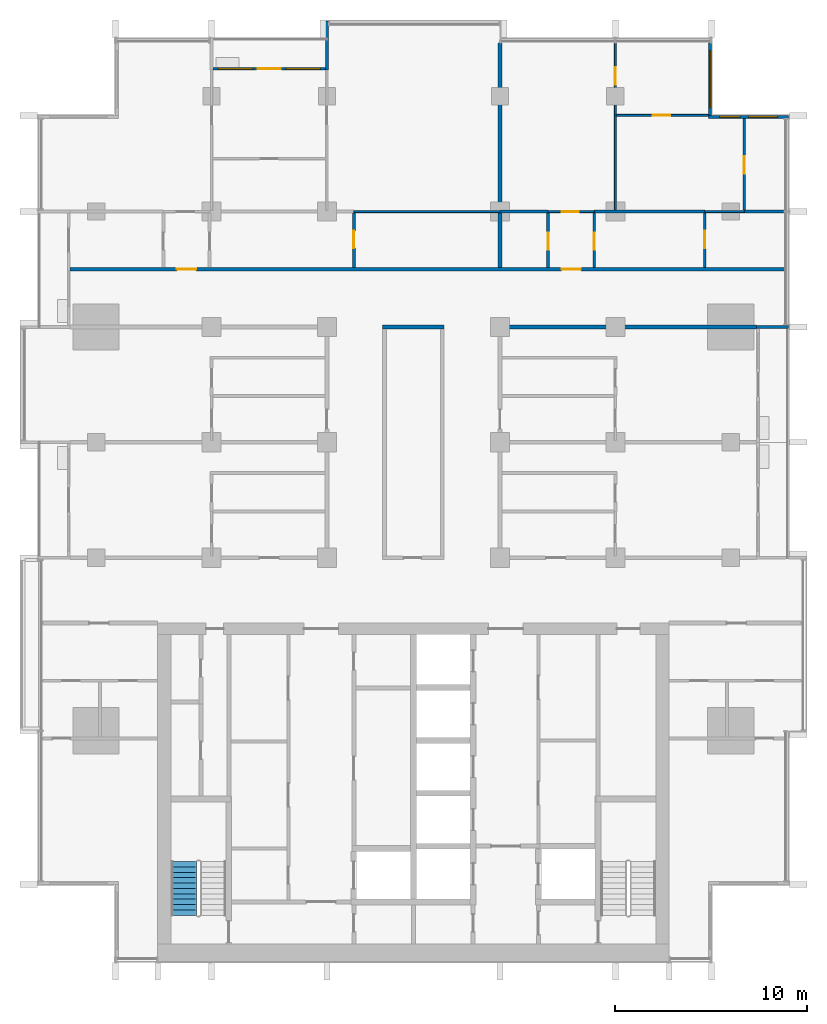
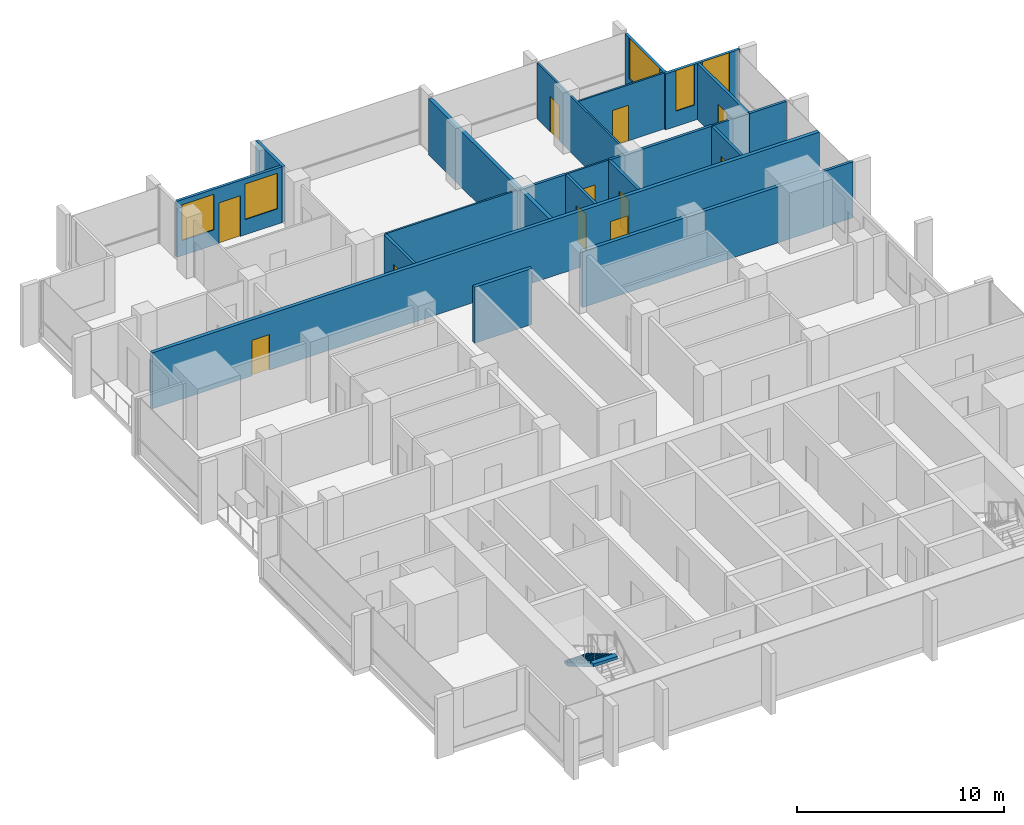
# One storey, part 11 of 17: 23 walls, 11 doors, 5 windows, 1 stair flight, 16 openings, 1 element without a shape of its own.
"""IFC4 building model written with IfcOpenShell, lengths in metres."""

from ifc_helpers import new_model, si_unit, direction, frame, frame_2d, origin, place, context, subcontext, project, spatial, polyline, rectangle, outline, extrude, material, layer, layer_set, type_object, element, fill, aggregate, save


model = new_model("IFC4")

# Units and contexts
model_context = context("Model", 3, precision=1e-05, world=origin(), true_north=direction((0.0, 1.0)))
body_context = subcontext(model_context, "Body", "Model", "MODEL_VIEW")
ifc_project = project(units=[si_unit("LENGTHUNIT", "METRE"), si_unit("AREAUNIT", "SQUARE_METRE"), si_unit("VOLUMEUNIT", "CUBIC_METRE"), si_unit("PLANEANGLEUNIT", "RADIAN"), si_unit("MASSUNIT", "GRAM", prefix="KILO")], contexts=[model_context])

# Site, building, storey
site_placement = place(None, origin())
site = spatial("IfcSite", under=ifc_project, at=site_placement, CompositionType="ELEMENT")
building_placement = place(site_placement, origin())
building = spatial("IfcBuilding", under=site, at=building_placement, Name="Finial Court Residences", CompositionType="ELEMENT")
storey_placement = place(building_placement, frame((0.0, 0.0, 167.300048828125)))
storey = spatial("IfcBuildingStorey", under=building, at=storey_placement, Name="L41", CompositionType="ELEMENT", Elevation=167.300048828125)

# Walls
ifc_material_1 = material(Name="Gypsum board")
ifc_layer_1 = layer(ifc_material_1, 0.02490234375)
ifc_material_2 = material(Name="Acoustic mineral wool in double frame")
ifc_layer_2 = layer(ifc_material_2, 0.14990234375)
ifc_layer_3 = layer(ifc_material_1, 0.02490234375)
ifc_layer_set_1 = layer_set([ifc_layer_1, ifc_layer_2, ifc_layer_3], Name="Acoustic party wall 200, 1 hour")
wall_type_1 = type_object("IfcWallType", Name="Acoustic party wall 200, 1 hour", PredefinedType="PARTITIONING", material=ifc_layer_set_1)
wall_1_placement = place(storey_placement, frame((4.5, 10.60009765625, 0.0), z_axis=(0.0, 0.0, 1.0), x_axis=(0.0, 1.0, 0.0)))
element("IfcWall", 1, at=wall_1_placement, inside=storey, type_object=wall_type_1, Name="Partition L41-048", PredefinedType="PARTITIONING", context=body_context, shape_type="SweptSolid", body=[
    extrude(rectangle(XDim=2.824951171875, YDim=0.199951171875, at=frame_2d((1.41259765625, 0.0))), origin(), (0.0, 0.0, 1.0), 3.300048828125),
])
wall_2_placement = place(storey_placement, frame((4.5, 13.574951171875, 0.0), z_axis=(0.0, 0.0, 1.0), x_axis=(0.0, 1.0, 0.0)))
element("IfcWall", 2, at=wall_2_placement, inside=storey, type_object=wall_type_1, Name="Partition L41-049", PredefinedType="PARTITIONING", context=body_context, shape_type="SweptSolid", body=[
    extrude(rectangle(XDim=8.6875, YDim=0.199951171875, at=frame_2d((4.34375, 0.0))), origin(), (0.0, 0.0, 1.0), 3.300048828125),
])
ifc_layer_4 = layer(ifc_material_1, 0.02490234375)
ifc_layer_5 = layer(ifc_material_2, 0.14990234375)
ifc_layer_6 = layer(ifc_material_1, 0.02490234375)
ifc_layer_set_2 = layer_set([ifc_layer_4, ifc_layer_5, ifc_layer_6], Name="Corridor wall 200, 1 hour")
wall_type_2 = type_object("IfcWallType", Name="Corridor wall 200, 1 hour", PredefinedType="PARTITIONING", material=ifc_layer_set_2)
wall_3_placement = place(storey_placement, frame((-1.60009765625, 7.5, 0.0), z_axis=(0.0, 0.0, 1.0), x_axis=(1.0, 0.0, 0.0)))
element("IfcWall", 3, at=wall_3_placement, inside=storey, type_object=wall_type_2, Name="Partition L41-020", PredefinedType="PARTITIONING", context=body_context, shape_type="SweptSolid", body=[
    extrude(rectangle(XDim=3.2001953125, YDim=0.199951171875, at=frame_2d((1.60009765625, 0.0))), origin(), (0.0, 0.0, 1.0), 3.300048828125),
])
wall_4_placement = place(storey_placement, frame((4.39990234375, 7.5, 0.0), z_axis=(0.0, 0.0, 1.0), x_axis=(1.0, 0.0, 0.0)))
element("IfcWall", 4, at=wall_4_placement, inside=storey, type_object=wall_type_2, Name="Partition L41-021", PredefinedType="PARTITIONING", context=body_context, shape_type="SweptSolid", body=[
    extrude(rectangle(XDim=13.4501953125, YDim=0.199951171875, at=frame_2d((6.72509765625, 0.0))), origin(), (0.0, 0.0, 1.0), 3.300048828125),
])

# Wall, openings, doors
wall_5_placement = place(storey_placement, frame((-17.85009765625, 10.5, 0.0), z_axis=(0.0, 0.0, 1.0), x_axis=(1.0, 0.0, 0.0)))
wall_5 = element("IfcWall", 5, at=wall_5_placement, inside=storey, type_object=wall_type_2, Name="Partition L41-022", PredefinedType="PARTITIONING", context=body_context, shape_type="SweptSolid", body=[
    extrude(rectangle(XDim=37.2001953125, YDim=0.199951171875, at=frame_2d((18.60009765625, 0.0))), origin(), (0.0, 0.0, 1.0), 3.300048828125),
])
opening_1_placement = place(wall_5_placement, frame((5.550048828125, 0.0, 0.0)))
opening_1 = element("IfcOpeningElement", 6, at=opening_1_placement, cuts=wall_5, Name="Opening L41-D012", PredefinedType="OPENING", context=body_context, shape_type="SweptSolid", body=[
    extrude(rectangle(XDim=1.0, YDim=2.10009765625, at=frame_2d((0.5, 1.050048828125))), frame((0.0, 0.10986328125, 0.0), z_axis=(0.0, -1.0, 0.0), x_axis=(1.0, 0.0, 0.0)), (0.0, 0.0, 1.0), 0.219970703125),
])
opening_2_placement = place(wall_5_placement, frame((25.550048828125, 0.0, 0.0)))
opening_2 = element("IfcOpeningElement", 7, at=opening_2_placement, cuts=wall_5, Name="Opening L41-D013", PredefinedType="OPENING", context=body_context, shape_type="SweptSolid", body=[
    extrude(rectangle(XDim=1.0, YDim=2.10009765625, at=frame_2d((0.5, 1.050048828125))), frame((0.0, 0.10986328125, 0.0), z_axis=(0.0, -1.0, 0.0), x_axis=(1.0, 0.0, 0.0)), (0.0, 0.0, 1.0), 0.219970703125),
])
ifc_material_3 = material(Name="Timber door leaf in hollow metal frame", Category="wood")
door_type_1 = type_object("IfcDoorType", Name="Fire door set 1000 x 2100, 30 minutes", OperationType="SINGLE_SWING_LEFT", PredefinedType="DOOR", material=ifc_material_3)
door_1_placement = place(opening_1_placement, origin())
door_1 = element("IfcDoor", 8, at=door_1_placement, inside=storey, type_object=door_type_1, Name="Door L41-D012", OperationType="SINGLE_SWING_RIGHT", OverallHeight=2.10009765625, OverallWidth=1.0, PredefinedType="DOOR", context=body_context, shape_type="SweptSolid", body=[
    extrude(rectangle(XDim=1.0, YDim=2.10009765625, at=frame_2d((0.5, 1.050048828125))), frame((0.0, 0.02490234375, 0.0), z_axis=(0.0, -1.0, 0.0), x_axis=(1.0, 0.0, 0.0)), (0.0, 0.0, 1.0), 0.050048828125),
])
fill(opening_1, door_1)
door_2_placement = place(opening_2_placement, origin())
door_2 = element("IfcDoor", 9, at=door_2_placement, inside=storey, type_object=door_type_1, Name="Door L41-D013", OperationType="SINGLE_SWING_LEFT", OverallHeight=2.10009765625, OverallWidth=1.0, PredefinedType="DOOR", context=body_context, shape_type="SweptSolid", body=[
    extrude(rectangle(XDim=1.0, YDim=2.10009765625, at=frame_2d((0.5, 1.050048828125))), frame((0.0, 0.02490234375, 0.0), z_axis=(0.0, -1.0, 0.0), x_axis=(1.0, 0.0, 0.0)), (0.0, 0.0, 1.0), 0.050048828125),
])
fill(opening_2, door_2)

# Wall
ifc_layer_7 = layer(ifc_material_1, 0.012451171875)
ifc_material_4 = material(Name="Mineral wool in light-gauge frame")
ifc_layer_8 = layer(ifc_material_4, 0.074951171875)
ifc_layer_9 = layer(ifc_material_1, 0.012451171875)
ifc_layer_set_3 = layer_set([ifc_layer_7, ifc_layer_8, ifc_layer_9], Name="Gypsum board partition 100")
wall_type_3 = type_object("IfcWallType", Name="Gypsum board partition 100", PredefinedType="PARTITIONING", material=ifc_layer_set_3)
wall_6_placement = place(storey_placement, frame((-3.10009765625, 13.5, 0.0), z_axis=(0.0, 0.0, 1.0), x_axis=(1.0, 0.0, 0.0)))
element("IfcWall", 10, at=wall_6_placement, inside=storey, type_object=wall_type_3, Name="Partition L41-024", PredefinedType="PARTITIONING", context=body_context, shape_type="SweptSolid", body=[
    extrude(rectangle(XDim=7.60009765625, YDim=0.10009765625, at=frame_2d((3.800048828125, 0.0))), origin(), (0.0, 0.0, 1.0), 3.300048828125),
])

# Wall, opening, door
wall_7_placement = place(storey_placement, frame((7.0, 13.5, 0.0), z_axis=(0.0, 0.0, 1.0), x_axis=(1.0, 0.0, 0.0)))
wall_7 = element("IfcWall", 11, at=wall_7_placement, inside=storey, type_object=wall_type_3, Name="Partition L41-025", PredefinedType="PARTITIONING", context=body_context, shape_type="SweptSolid", body=[
    extrude(rectangle(XDim=2.39990234375, YDim=0.10009765625, at=frame_2d((1.199951171875, 0.0))), origin(), (0.0, 0.0, 1.0), 3.300048828125),
])
opening_3_placement = place(wall_7_placement, frame((0.699951171875, 0.0, 0.0)))
opening_3 = element("IfcOpeningElement", 12, at=opening_3_placement, cuts=wall_7, Name="Opening L41-D015", PredefinedType="OPENING", context=body_context, shape_type="SweptSolid", body=[
    extrude(rectangle(XDim=0.89990234375, YDim=2.10009765625, at=frame_2d((0.449951171875, 1.050048828125))), frame((0.0, 0.06005859375, 0.0), z_axis=(0.0, -1.0, 0.0), x_axis=(1.0, 0.0, 0.0)), (0.0, 0.0, 1.0), 0.1201171875),
])
ifc_material_5 = material(Name="Timber door leaf in timber frame", Category="wood")
door_type_2 = type_object("IfcDoorType", Name="Door set 900 x 2100", OperationType="SINGLE_SWING_LEFT", PredefinedType="DOOR", material=ifc_material_5)
door_3_placement = place(opening_3_placement, origin())
door_3 = element("IfcDoor", 13, at=door_3_placement, inside=storey, type_object=door_type_2, Name="Door L41-D015", OperationType="SINGLE_SWING_LEFT", OverallHeight=2.10009765625, OverallWidth=0.89990234375, PredefinedType="DOOR", context=body_context, shape_type="SweptSolid", body=[
    extrude(rectangle(XDim=0.89990234375, YDim=2.10009765625, at=frame_2d((0.449951171875, 1.050048828125))), frame((0.0, 0.02490234375, 0.0), z_axis=(0.0, -1.0, 0.0), x_axis=(1.0, 0.0, 0.0)), (0.0, 0.0, 1.0), 0.050048828125),
])
fill(opening_3, door_3)

# Wall
wall_8_placement = place(storey_placement, frame((15.14990234375, 13.5, 0.0), z_axis=(0.0, 0.0, 1.0), x_axis=(1.0, 0.0, 0.0)))
element("IfcWall", 14, at=wall_8_placement, inside=storey, type_object=wall_type_3, Name="Partition L41-026", PredefinedType="PARTITIONING", context=body_context, shape_type="SweptSolid", body=[
    extrude(rectangle(XDim=2.050048828125, YDim=0.10009765625, at=frame_2d((1.02490234375, 0.0))), origin(), (0.0, 0.0, 1.0), 3.300048828125),
])

# Wall, opening, door
wall_9_placement = place(storey_placement, frame((10.550048828125, 18.5, 0.0), z_axis=(0.0, 0.0, 1.0), x_axis=(1.0, 0.0, 0.0)))
wall_9 = element("IfcWall", 15, at=wall_9_placement, inside=storey, type_object=wall_type_3, Name="Partition L41-033", PredefinedType="PARTITIONING", context=body_context, shape_type="SweptSolid", body=[
    extrude(rectangle(XDim=4.800048828125, YDim=0.10009765625, at=frame_2d((2.39990234375, 0.0))), origin(), (0.0, 0.0, 1.0), 3.300048828125),
])
opening_4_placement = place(wall_9_placement, frame((1.89990234375, 0.0, 0.0)))
opening_4 = element("IfcOpeningElement", 16, at=opening_4_placement, cuts=wall_9, Name="Opening L41-D017", PredefinedType="OPENING", context=body_context, shape_type="SweptSolid", body=[
    extrude(rectangle(XDim=0.89990234375, YDim=2.10009765625, at=frame_2d((0.449951171875, 1.050048828125))), frame((0.0, 0.06005859375, 0.0), z_axis=(0.0, -1.0, 0.0), x_axis=(1.0, 0.0, 0.0)), (0.0, 0.0, 1.0), 0.1201171875),
])
door_4_placement = place(opening_4_placement, origin())
door_4 = element("IfcDoor", 17, at=door_4_placement, inside=storey, type_object=door_type_2, Name="Door L41-D017", OperationType="SINGLE_SWING_RIGHT", OverallHeight=2.10009765625, OverallWidth=0.89990234375, PredefinedType="DOOR", context=body_context, shape_type="SweptSolid", body=[
    extrude(rectangle(XDim=0.89990234375, YDim=2.10009765625, at=frame_2d((0.449951171875, 1.050048828125))), frame((0.0, 0.02490234375, 0.0), z_axis=(0.0, -1.0, 0.0), x_axis=(1.0, 0.0, 0.0)), (0.0, 0.0, 1.0), 0.050048828125),
])
fill(opening_4, door_4)

wall_10_placement = place(storey_placement, frame((10.5, 13.574951171875, 0.0), z_axis=(0.0, 0.0, 1.0), x_axis=(0.0, 1.0, 0.0)))
wall_10 = element("IfcWall", 18, at=wall_10_placement, inside=storey, type_object=wall_type_3, Name="Partition L41-054", PredefinedType="PARTITIONING", context=body_context, shape_type="SweptSolid", body=[
    extrude(rectangle(XDim=8.6875, YDim=0.10009765625, at=frame_2d((4.34375, 0.0))), origin(), (0.0, 0.0, 1.0), 3.300048828125),
])
opening_5_placement = place(wall_10_placement, frame((6.52490234375, 0.0, 0.0)))
opening_5 = element("IfcOpeningElement", 19, at=opening_5_placement, cuts=wall_10, Name="Opening L41-D033", PredefinedType="OPENING", context=body_context, shape_type="SweptSolid", body=[
    extrude(rectangle(XDim=0.89990234375, YDim=2.10009765625, at=frame_2d((0.449951171875, 1.050048828125))), frame((0.0, 0.06005859375, 0.0), z_axis=(0.0, -1.0, 0.0), x_axis=(1.0, 0.0, 0.0)), (0.0, 0.0, 1.0), 0.1201171875),
])
door_5_placement = place(opening_5_placement, origin())
door_5 = element("IfcDoor", 20, at=door_5_placement, inside=storey, type_object=door_type_2, Name="Door L41-D033", OperationType="SINGLE_SWING_RIGHT", OverallHeight=2.10009765625, OverallWidth=0.89990234375, PredefinedType="DOOR", context=body_context, shape_type="SweptSolid", body=[
    extrude(rectangle(XDim=0.89990234375, YDim=2.10009765625, at=frame_2d((0.449951171875, 1.050048828125))), frame((0.0, 0.02490234375, 0.0), z_axis=(0.0, -1.0, 0.0), x_axis=(1.0, 0.0, 0.0)), (0.0, 0.0, 1.0), 0.050048828125),
])
fill(opening_5, door_5)

# Walls
ifc_material_6 = material(Name="Moisture-resistant gypsum board")
ifc_layer_10 = layer(ifc_material_6, 0.012451171875)
ifc_layer_11 = layer(ifc_material_4, 0.125)
ifc_layer_12 = layer(ifc_material_6, 0.012451171875)
ifc_layer_set_4 = layer_set([ifc_layer_10, ifc_layer_11, ifc_layer_12], Name="Gypsum board wet-area partition 150")
wall_type_4 = type_object("IfcWallType", Name="Gypsum board wet-area partition 150", PredefinedType="PARTITIONING", material=ifc_layer_set_4)
wall_11_placement = place(storey_placement, frame((4.5, 13.5, 0.0), z_axis=(0.0, 0.0, 1.0), x_axis=(1.0, 0.0, 0.0)))
element("IfcWall", 21, at=wall_11_placement, inside=storey, type_object=wall_type_4, Name="Partition L41-029", PredefinedType="PARTITIONING", context=body_context, shape_type="SweptSolid", body=[
    extrude(rectangle(XDim=2.5, YDim=0.14990234375, at=frame_2d((1.25, 0.0))), origin(), (0.0, 0.0, 1.0), 3.300048828125),
])
wall_12_placement = place(storey_placement, frame((9.39990234375, 13.5, 0.0), z_axis=(0.0, 0.0, 1.0), x_axis=(1.0, 0.0, 0.0)))
element("IfcWall", 22, at=wall_12_placement, inside=storey, type_object=wall_type_4, Name="Partition L41-030", PredefinedType="PARTITIONING", context=body_context, shape_type="SweptSolid", body=[
    extrude(rectangle(XDim=5.75, YDim=0.14990234375, at=frame_2d((2.875, 0.0))), origin(), (0.0, 0.0, 1.0), 3.300048828125),
])
wall_13_placement = place(storey_placement, frame((17.199951171875, 13.5, 0.0), z_axis=(0.0, 0.0, 1.0), x_axis=(1.0, 0.0, 0.0)))
element("IfcWall", 23, at=wall_13_placement, inside=storey, type_object=wall_type_4, Name="Partition L41-031", PredefinedType="PARTITIONING", context=body_context, shape_type="SweptSolid", body=[
    extrude(rectangle(XDim=2.0625, YDim=0.14990234375, at=frame_2d((1.03125, 0.0))), origin(), (0.0, 0.0, 1.0), 3.300048828125),
])

# Wall, opening, door
wall_14_placement = place(storey_placement, frame((-3.10009765625, 10.60009765625, 0.0), z_axis=(0.0, 0.0, 1.0), x_axis=(0.0, 1.0, 0.0)))
wall_14 = element("IfcWall", 24, at=wall_14_placement, inside=storey, type_object=wall_type_4, Name="Partition L41-044", PredefinedType="PARTITIONING", context=body_context, shape_type="SweptSolid", body=[
    extrude(rectangle(XDim=2.824951171875, YDim=0.14990234375, at=frame_2d((1.41259765625, 0.0))), origin(), (0.0, 0.0, 1.0), 3.300048828125),
])
opening_6_placement = place(wall_14_placement, frame((1.0, 0.0, 0.0)))
opening_6 = element("IfcOpeningElement", 25, at=opening_6_placement, cuts=wall_14, Name="Opening L41-D027", PredefinedType="OPENING", context=body_context, shape_type="SweptSolid", body=[
    extrude(rectangle(XDim=0.89990234375, YDim=2.10009765625, at=frame_2d((0.449951171875, 1.050048828125))), frame((0.0, 0.0849609375, 0.0), z_axis=(0.0, -1.0, 0.0), x_axis=(1.0, 0.0, 0.0)), (0.0, 0.0, 1.0), 0.169921875),
])
door_6_placement = place(opening_6_placement, origin())
door_6 = element("IfcDoor", 26, at=door_6_placement, inside=storey, type_object=door_type_2, Name="Door L41-D027", OperationType="SINGLE_SWING_RIGHT", OverallHeight=2.10009765625, OverallWidth=0.89990234375, PredefinedType="DOOR", context=body_context, shape_type="SweptSolid", body=[
    extrude(rectangle(XDim=0.89990234375, YDim=2.10009765625, at=frame_2d((0.449951171875, 1.050048828125))), frame((0.0, 0.02490234375, 0.0), z_axis=(0.0, -1.0, 0.0), x_axis=(1.0, 0.0, 0.0)), (0.0, 0.0, 1.0), 0.050048828125),
])
fill(opening_6, door_6)

wall_15_placement = place(storey_placement, frame((7.0, 10.60009765625, 0.0), z_axis=(0.0, 0.0, 1.0), x_axis=(0.0, 1.0, 0.0)))
wall_15 = element("IfcWall", 27, at=wall_15_placement, inside=storey, type_object=wall_type_4, Name="Partition L41-050", PredefinedType="PARTITIONING", context=body_context, shape_type="SweptSolid", body=[
    extrude(rectangle(XDim=2.824951171875, YDim=0.14990234375, at=frame_2d((1.41259765625, 0.0))), origin(), (0.0, 0.0, 1.0), 3.300048828125),
])
opening_7_placement = place(wall_15_placement, frame((0.89990234375, 0.0, 0.0)))
opening_7 = element("IfcOpeningElement", 28, at=opening_7_placement, cuts=wall_15, Name="Opening L41-D029", PredefinedType="OPENING", context=body_context, shape_type="SweptSolid", body=[
    extrude(rectangle(XDim=0.89990234375, YDim=2.10009765625, at=frame_2d((0.449951171875, 1.050048828125))), frame((0.0, 0.0849609375, 0.0), z_axis=(0.0, -1.0, 0.0), x_axis=(1.0, 0.0, 0.0)), (0.0, 0.0, 1.0), 0.169921875),
])
door_7_placement = place(opening_7_placement, origin())
door_7 = element("IfcDoor", 29, at=door_7_placement, inside=storey, type_object=door_type_2, Name="Door L41-D029", OperationType="SINGLE_SWING_RIGHT", OverallHeight=2.10009765625, OverallWidth=0.89990234375, PredefinedType="DOOR", context=body_context, shape_type="SweptSolid", body=[
    extrude(rectangle(XDim=0.89990234375, YDim=2.10009765625, at=frame_2d((0.449951171875, 1.050048828125))), frame((0.0, 0.02490234375, 0.0), z_axis=(0.0, -1.0, 0.0), x_axis=(1.0, 0.0, 0.0)), (0.0, 0.0, 1.0), 0.050048828125),
])
fill(opening_7, door_7)

wall_16_placement = place(storey_placement, frame((9.39990234375, 10.60009765625, 0.0), z_axis=(0.0, 0.0, 1.0), x_axis=(0.0, 1.0, 0.0)))
wall_16 = element("IfcWall", 30, at=wall_16_placement, inside=storey, type_object=wall_type_4, Name="Partition L41-051", PredefinedType="PARTITIONING", context=body_context, shape_type="SweptSolid", body=[
    extrude(rectangle(XDim=2.824951171875, YDim=0.14990234375, at=frame_2d((1.41259765625, 0.0))), origin(), (0.0, 0.0, 1.0), 3.300048828125),
])
opening_8_placement = place(wall_16_placement, frame((0.89990234375, 0.0, 0.0)))
opening_8 = element("IfcOpeningElement", 31, at=opening_8_placement, cuts=wall_16, Name="Opening L41-D030", PredefinedType="OPENING", context=body_context, shape_type="SweptSolid", body=[
    extrude(rectangle(XDim=0.89990234375, YDim=2.10009765625, at=frame_2d((0.449951171875, 1.050048828125))), frame((0.0, 0.0849609375, 0.0), z_axis=(0.0, -1.0, 0.0), x_axis=(1.0, 0.0, 0.0)), (0.0, 0.0, 1.0), 0.169921875),
])
door_8_placement = place(opening_8_placement, origin())
door_8 = element("IfcDoor", 32, at=door_8_placement, inside=storey, type_object=door_type_2, Name="Door L41-D030", OperationType="SINGLE_SWING_RIGHT", OverallHeight=2.10009765625, OverallWidth=0.89990234375, PredefinedType="DOOR", context=body_context, shape_type="SweptSolid", body=[
    extrude(rectangle(XDim=0.89990234375, YDim=2.10009765625, at=frame_2d((0.449951171875, 1.050048828125))), frame((0.0, 0.02490234375, 0.0), z_axis=(0.0, -1.0, 0.0), x_axis=(1.0, 0.0, 0.0)), (0.0, 0.0, 1.0), 0.050048828125),
])
fill(opening_8, door_8)

wall_17_placement = place(storey_placement, frame((15.14990234375, 10.60009765625, 0.0), z_axis=(0.0, 0.0, 1.0), x_axis=(0.0, 1.0, 0.0)))
wall_17 = element("IfcWall", 33, at=wall_17_placement, inside=storey, type_object=wall_type_4, Name="Partition L41-057", PredefinedType="PARTITIONING", context=body_context, shape_type="SweptSolid", body=[
    extrude(rectangle(XDim=2.824951171875, YDim=0.14990234375, at=frame_2d((1.41259765625, 0.0))), origin(), (0.0, 0.0, 1.0), 3.300048828125),
])
opening_9_placement = place(wall_17_placement, frame((1.0, 0.0, 0.0)))
opening_9 = element("IfcOpeningElement", 34, at=opening_9_placement, cuts=wall_17, Name="Opening L41-D036", PredefinedType="OPENING", context=body_context, shape_type="SweptSolid", body=[
    extrude(rectangle(XDim=0.89990234375, YDim=2.10009765625, at=frame_2d((0.449951171875, 1.050048828125))), frame((0.0, 0.0849609375, 0.0), z_axis=(0.0, -1.0, 0.0), x_axis=(1.0, 0.0, 0.0)), (0.0, 0.0, 1.0), 0.169921875),
])
door_9_placement = place(opening_9_placement, origin())
door_9 = element("IfcDoor", 35, at=door_9_placement, inside=storey, type_object=door_type_2, Name="Door L41-D036", OperationType="SINGLE_SWING_RIGHT", OverallHeight=2.10009765625, OverallWidth=0.89990234375, PredefinedType="DOOR", context=body_context, shape_type="SweptSolid", body=[
    extrude(rectangle(XDim=0.89990234375, YDim=2.10009765625, at=frame_2d((0.449951171875, 1.050048828125))), frame((0.0, 0.02490234375, 0.0), z_axis=(0.0, -1.0, 0.0), x_axis=(1.0, 0.0, 0.0)), (0.0, 0.0, 1.0), 0.050048828125),
])
fill(opening_9, door_9)

wall_18_placement = place(storey_placement, frame((17.199951171875, 13.574951171875, 0.0), z_axis=(0.0, 0.0, 1.0), x_axis=(0.0, 1.0, 0.0)))
wall_18 = element("IfcWall", 36, at=wall_18_placement, inside=storey, type_object=wall_type_4, Name="Partition L41-059", PredefinedType="PARTITIONING", context=body_context, shape_type="SweptSolid", body=[
    extrude(rectangle(XDim=4.775146484375, YDim=0.14990234375, at=frame_2d((2.3876953125, 0.0))), origin(), (0.0, 0.0, 1.0), 3.300048828125),
])
opening_10_placement = place(wall_18_placement, frame((1.89990234375, 0.0, 0.0)))
opening_10 = element("IfcOpeningElement", 37, at=opening_10_placement, cuts=wall_18, Name="Opening L41-D037", PredefinedType="OPENING", context=body_context, shape_type="SweptSolid", body=[
    extrude(rectangle(XDim=0.89990234375, YDim=2.10009765625, at=frame_2d((0.449951171875, 1.050048828125))), frame((0.0, 0.0849609375, 0.0), z_axis=(0.0, -1.0, 0.0), x_axis=(1.0, 0.0, 0.0)), (0.0, 0.0, 1.0), 0.169921875),
])
door_10_placement = place(opening_10_placement, origin())
door_10 = element("IfcDoor", 38, at=door_10_placement, inside=storey, type_object=door_type_2, Name="Door L41-D037", OperationType="SINGLE_SWING_LEFT", OverallHeight=2.10009765625, OverallWidth=0.89990234375, PredefinedType="DOOR", context=body_context, shape_type="SweptSolid", body=[
    extrude(rectangle(XDim=0.89990234375, YDim=2.10009765625, at=frame_2d((0.449951171875, 1.050048828125))), frame((0.0, 0.02490234375, 0.0), z_axis=(0.0, -1.0, 0.0), x_axis=(1.0, 0.0, 0.0)), (0.0, 0.0, 1.0), 0.050048828125),
])
fill(opening_10, door_10)

# Wall, opening, window
ifc_material_7 = material(Name="Natural limestone", Category="masonry")
ifc_layer_13 = layer(ifc_material_7, 0.14990234375)
ifc_layer_set_5 = layer_set([ifc_layer_13], Name="Limestone clad wall 150")
wall_type_5 = type_object("IfcWallType", Name="Limestone clad wall 150", PredefinedType="SOLIDWALL", material=ifc_layer_set_5)
wall_19_placement = place(storey_placement, frame((15.425048828125, 22.262451171875, 0.0), z_axis=(0.0, 0.0, 1.0), x_axis=(0.0, -1.0, 0.0)))
wall_19 = element("IfcWall", 39, at=wall_19_placement, inside=storey, type_object=wall_type_5, Name="E-L41-NWE18", PredefinedType="SOLIDWALL", context=body_context, shape_type="SweptSolid", body=[
    extrude(rectangle(XDim=3.762451171875, YDim=0.14990234375, at=frame_2d((1.88134765625, 0.0))), origin(), (0.0, 0.0, 1.0), 3.300048828125),
])
opening_11_placement = place(wall_19_placement, frame((0.401123046875, 0.0, 0.89990234375)))
opening_11 = element("IfcOpeningElement", 40, at=opening_11_placement, cuts=wall_19, Name="Opening WE41-07", PredefinedType="OPENING", context=body_context, shape_type="SweptSolid", body=[
    extrude(rectangle(XDim=2.9599609375, YDim=2.39990234375, at=frame_2d((1.47998046875, 1.199951171875))), frame((0.0, 0.0849609375, 0.0), z_axis=(0.0, -1.0, 0.0), x_axis=(1.0, 0.0, 0.0)), (0.0, 0.0, 1.0), 0.169921875),
])
ifc_material_8 = material(Name="Clear low-e glass", Category="glass")
window_type_1 = type_object("IfcWindowType", Name="Corner window 2960 x 2400", PartitioningType="SINGLE_PANEL", PredefinedType="WINDOW", material=ifc_material_8)
window_1_placement = place(opening_11_placement, origin())
window_1 = element("IfcWindow", 41, at=window_1_placement, inside=storey, type_object=window_type_1, Name="E-L41-NWE18-W1", OverallHeight=2.39990234375, OverallWidth=2.9599609375, PartitioningType="SINGLE_PANEL", PredefinedType="WINDOW", context=body_context, shape_type="SweptSolid", body=[
    extrude(rectangle(XDim=2.9599609375, YDim=2.39990234375, at=frame_2d((1.47998046875, 1.199951171875))), frame((0.0, 0.030029296875, 0.0), z_axis=(0.0, -1.0, 0.0), x_axis=(1.0, 0.0, 0.0)), (0.0, 0.0, 1.0), 0.06005859375),
])
fill(opening_11, window_1)

# Wall, openings, windows
wall_20_placement = place(storey_placement, frame((15.35009765625, 18.425048828125, 0.0), z_axis=(0.0, 0.0, 1.0), x_axis=(1.0, 0.0, 0.0)))
wall_20 = element("IfcWall", 42, at=wall_20_placement, inside=storey, type_object=wall_type_5, Name="E-L41-NWN19", PredefinedType="SOLIDWALL", context=body_context, shape_type="SweptSolid", body=[
    extrude(rectangle(XDim=4.14990234375, YDim=0.14990234375, at=frame_2d((2.074951171875, 0.0))), origin(), (0.0, 0.0, 1.0), 3.300048828125),
])
opening_12_placement = place(wall_20_placement, frame((0.574951171875, 0.0, 0.89990234375)))
opening_12 = element("IfcOpeningElement", 43, at=opening_12_placement, cuts=wall_20, Name="Opening WE41-08", PredefinedType="OPENING", context=body_context, shape_type="SweptSolid", body=[
    extrude(rectangle(XDim=1.050048828125, YDim=2.39990234375, at=frame_2d((0.52490234375, 1.199951171875))), frame((0.0, 0.0849609375, 0.0), z_axis=(0.0, -1.0, 0.0), x_axis=(1.0, 0.0, 0.0)), (0.0, 0.0, 1.0), 0.169921875),
])
opening_13_placement = place(wall_20_placement, frame((2.074951171875, 0.0, 0.89990234375)))
opening_13 = element("IfcOpeningElement", 44, at=opening_13_placement, cuts=wall_20, Name="Opening WE41-09", PredefinedType="OPENING", context=body_context, shape_type="SweptSolid", body=[
    extrude(rectangle(XDim=1.5, YDim=2.39990234375, at=frame_2d((0.75, 1.199951171875))), frame((0.0, 0.0849609375, 0.0), z_axis=(0.0, -1.0, 0.0), x_axis=(1.0, 0.0, 0.0)), (0.0, 0.0, 1.0), 0.169921875),
])
window_type_2 = type_object("IfcWindowType", Name="Corner window 1050 x 2400", PartitioningType="SINGLE_PANEL", PredefinedType="WINDOW", material=ifc_material_8)
window_2_placement = place(opening_12_placement, origin())
window_2 = element("IfcWindow", 45, at=window_2_placement, inside=storey, type_object=window_type_2, Name="E-L41-NWN19-W1", OverallHeight=2.39990234375, OverallWidth=1.050048828125, PartitioningType="SINGLE_PANEL", PredefinedType="WINDOW", context=body_context, shape_type="SweptSolid", body=[
    extrude(rectangle(XDim=1.050048828125, YDim=2.39990234375, at=frame_2d((0.52490234375, 1.199951171875))), frame((0.0, 0.030029296875, 0.0), z_axis=(0.0, -1.0, 0.0), x_axis=(1.0, 0.0, 0.0)), (0.0, 0.0, 1.0), 0.06005859375),
])
fill(opening_12, window_2)
window_type_3 = type_object("IfcWindowType", Name="Corner window 1500 x 2400", PartitioningType="SINGLE_PANEL", PredefinedType="WINDOW", material=ifc_material_8)
window_3_placement = place(opening_13_placement, origin())
window_3 = element("IfcWindow", 46, at=window_3_placement, inside=storey, type_object=window_type_3, Name="E-L41-NWN19-W2", OverallHeight=2.39990234375, OverallWidth=1.5, PartitioningType="SINGLE_PANEL", PredefinedType="WINDOW", context=body_context, shape_type="SweptSolid", body=[
    extrude(rectangle(XDim=1.5, YDim=2.39990234375, at=frame_2d((0.75, 1.199951171875))), frame((0.0, 0.030029296875, 0.0), z_axis=(0.0, -1.0, 0.0), x_axis=(1.0, 0.0, 0.0)), (0.0, 0.0, 1.0), 0.06005859375),
])
fill(opening_13, window_3)

# Wall
wall_21_placement = place(storey_placement, frame((-4.5, 20.85009765625, 0.0), z_axis=(0.0, 0.0, 1.0), x_axis=(0.0, 1.0, 0.0)))
element("IfcWall", 47, at=wall_21_placement, inside=storey, type_object=wall_type_5, Name="E-L41-BALN2-P2", PredefinedType="SOLIDWALL", context=body_context, shape_type="SweptSolid", body=[
    extrude(rectangle(XDim=2.5498046875, YDim=0.14990234375, at=frame_2d((1.27490234375, 0.0))), origin(), (0.0, 0.0, 1.0), 3.300048828125),
])

# Wall, openings, door, windows
wall_22_placement = place(storey_placement, frame((-10.425048828125, 20.925048828125, 0.0), z_axis=(0.0, 0.0, 1.0), x_axis=(1.0, 0.0, 0.0)))
wall_22 = element("IfcWall", 48, at=wall_22_placement, inside=storey, type_object=wall_type_5, Name="E-L41-L41-BALN2-W", PredefinedType="SOLIDWALL", context=body_context, shape_type="SweptSolid", body=[
    extrude(rectangle(XDim=5.85009765625, YDim=0.14990234375, at=frame_2d((2.925048828125, 0.0))), origin(), (0.0, 0.0, 1.0), 3.300048828125),
])
opening_14_placement = place(wall_22_placement, frame((2.324951171875, 0.0, 0.0)))
opening_14 = element("IfcOpeningElement", 49, at=opening_14_placement, cuts=wall_22, Name="Opening DE41-01", PredefinedType="OPENING", context=body_context, shape_type="SweptSolid", body=[
    extrude(rectangle(XDim=1.199951171875, YDim=2.39990234375, at=frame_2d((0.60009765625, 1.199951171875))), frame((0.0, 0.0849609375, 0.0), z_axis=(0.0, -1.0, 0.0), x_axis=(1.0, 0.0, 0.0)), (0.0, 0.0, 1.0), 0.169921875),
])
opening_15_placement = place(wall_22_placement, frame((0.262451171875, 0.0, 0.89990234375)))
opening_15 = element("IfcOpeningElement", 50, at=opening_15_placement, cuts=wall_22, Name="Opening WE41-10", PredefinedType="OPENING", context=body_context, shape_type="SweptSolid", body=[
    extrude(rectangle(XDim=1.800048828125, YDim=2.10009765625, at=frame_2d((0.89990234375, 1.050048828125))), frame((0.0, 0.0849609375, 0.0), z_axis=(0.0, -1.0, 0.0), x_axis=(1.0, 0.0, 0.0)), (0.0, 0.0, 1.0), 0.169921875),
])
opening_16_placement = place(wall_22_placement, frame((3.78759765625, 0.0, 0.89990234375)))
opening_16 = element("IfcOpeningElement", 51, at=opening_16_placement, cuts=wall_22, Name="Opening WE41-11", PredefinedType="OPENING", context=body_context, shape_type="SweptSolid", body=[
    extrude(rectangle(XDim=1.800048828125, YDim=2.10009765625, at=frame_2d((0.89990234375, 1.050048828125))), frame((0.0, 0.0849609375, 0.0), z_axis=(0.0, -1.0, 0.0), x_axis=(1.0, 0.0, 0.0)), (0.0, 0.0, 1.0), 0.169921875),
])
ifc_material_9 = material(Name="Bronze anodised aluminium", Category="aluminium")
door_type_3 = type_object("IfcDoorType", Name="Balcony door 1200 x 2400", OperationType="SINGLE_SWING_LEFT", PredefinedType="DOOR", material=ifc_material_9)
door_11_placement = place(opening_14_placement, origin())
door_11 = element("IfcDoor", 52, at=door_11_placement, inside=storey, type_object=door_type_3, Name="E-L41-L41-BALN2-W-D", OperationType="SINGLE_SWING_RIGHT", OverallHeight=2.39990234375, OverallWidth=1.199951171875, PredefinedType="DOOR", context=body_context, shape_type="SweptSolid", body=[
    extrude(rectangle(XDim=1.199951171875, YDim=2.39990234375, at=frame_2d((0.60009765625, 1.199951171875))), frame((0.0, 0.02490234375, 0.0), z_axis=(0.0, -1.0, 0.0), x_axis=(1.0, 0.0, 0.0)), (0.0, 0.0, 1.0), 0.050048828125),
])
fill(opening_14, door_11)
window_type_4 = type_object("IfcWindowType", Name="Balcony window 1800 x 2100", PartitioningType="SINGLE_PANEL", PredefinedType="WINDOW", material=ifc_material_8)
window_4_placement = place(opening_15_placement, origin())
window_4 = element("IfcWindow", 53, at=window_4_placement, inside=storey, type_object=window_type_4, Name="E-L41-L41-BALN2-W-W1", OverallHeight=2.10009765625, OverallWidth=1.800048828125, PartitioningType="SINGLE_PANEL", PredefinedType="WINDOW", context=body_context, shape_type="SweptSolid", body=[
    extrude(rectangle(XDim=1.800048828125, YDim=2.10009765625, at=frame_2d((0.89990234375, 1.050048828125))), frame((0.0, 0.030029296875, 0.0), z_axis=(0.0, -1.0, 0.0), x_axis=(1.0, 0.0, 0.0)), (0.0, 0.0, 1.0), 0.06005859375),
])
fill(opening_15, window_4)
window_5_placement = place(opening_16_placement, origin())
window_5 = element("IfcWindow", 54, at=window_5_placement, inside=storey, type_object=window_type_4, Name="E-L41-L41-BALN2-W-W2", OverallHeight=2.10009765625, OverallWidth=1.800048828125, PartitioningType="SINGLE_PANEL", PredefinedType="WINDOW", context=body_context, shape_type="SweptSolid", body=[
    extrude(rectangle(XDim=1.800048828125, YDim=2.10009765625, at=frame_2d((0.89990234375, 1.050048828125))), frame((0.0, 0.030029296875, 0.0), z_axis=(0.0, -1.0, 0.0), x_axis=(1.0, 0.0, 0.0)), (0.0, 0.0, 1.0), 0.06005859375),
])
fill(opening_16, window_5)

# Wall
wall_23_placement = place(storey_placement, frame((17.85009765625, 7.5, 0.0), z_axis=(0.0, 0.0, 1.0), x_axis=(1.0, 0.0, 0.0)))
element("IfcWall", 55, at=wall_23_placement, inside=storey, type_object=wall_type_5, Name="E-L41-BALE4-P2", PredefinedType="SOLIDWALL", context=body_context, shape_type="SweptSolid", body=[
    extrude(rectangle(XDim=1.64990234375, YDim=0.14990234375, at=frame_2d((0.824951171875, 0.0))), origin(), (0.0, 0.0, 1.0), 3.300048828125),
])

# Stair, stair flight
ifc_material_10 = material(Name="Concrete C50/60", Category="concrete")
stair_type = type_object("IfcStairType", Name="Exit stair 22 risers of 163.6 mm", PredefinedType="HALF_TURN_STAIR", material=ifc_material_10)
stair_placement = place(storey_placement, origin())
stair = element("IfcStair", 56, at=stair_placement, inside=storey, type_object=stair_type, Name="L41 Exit stair ST-1", PredefinedType="HALF_TURN_STAIR")
stair_flight_type = type_object("IfcStairFlightType", Name="Exit stair flight", PredefinedType="STRAIGHT", material=ifc_material_10)
stair_flight_placement = place(storey_placement, frame((-11.925048828125, -20.300048828125, 1.800048828125), z_axis=(0.0, 0.0, 1.0), x_axis=(0.0, -1.0, 0.0)))
stair_flight = element("IfcStairFlight", 57, at=stair_flight_placement, type_object=stair_flight_type, Name="ST-1 flight 2", NumberOfRisers=11, NumberOfTreads=10, PredefinedType="STRAIGHT", RiserHeight=0.163636364, TreadLength=0.28, context=body_context, shape_type="SweptSolid", body=[
    extrude(outline(polyline([(0.0, 0.0), (0.0, 0.16357421875), (0.280029296875, 0.16357421875), (0.280029296875, 0.327392578125), (0.56005859375, 0.327392578125), (0.56005859375, 0.490966796875), (0.840087890625, 0.490966796875), (0.840087890625, 0.654541015625), (1.1201171875, 0.654541015625), (1.1201171875, 0.818115234375), (1.39990234375, 0.818115234375), (1.39990234375, 0.98193359375), (1.679931640625, 0.98193359375), (1.679931640625, 1.1455078125), (1.9599609375, 1.1455078125), (1.9599609375, 1.30908203125), (2.239990234375, 1.30908203125), (2.239990234375, 1.47265625), (2.52001953125, 1.47265625), (2.52001953125, 1.636474609375), (2.800048828125, 1.636474609375), (2.800048828125, 1.800048828125), (2.800048828125, 1.462646484375), (0.297119140625, 0.0), (0.0, 0.0)])), frame((0.0, 0.675048828125, 0.0), z_axis=(0.0, -1.0, 0.0), x_axis=(1.0, 0.0, 0.0)), (0.0, 0.0, 1.0), 1.35009765625),
])
aggregate(stair, [stair_flight])

save(model, "model.ifc")
